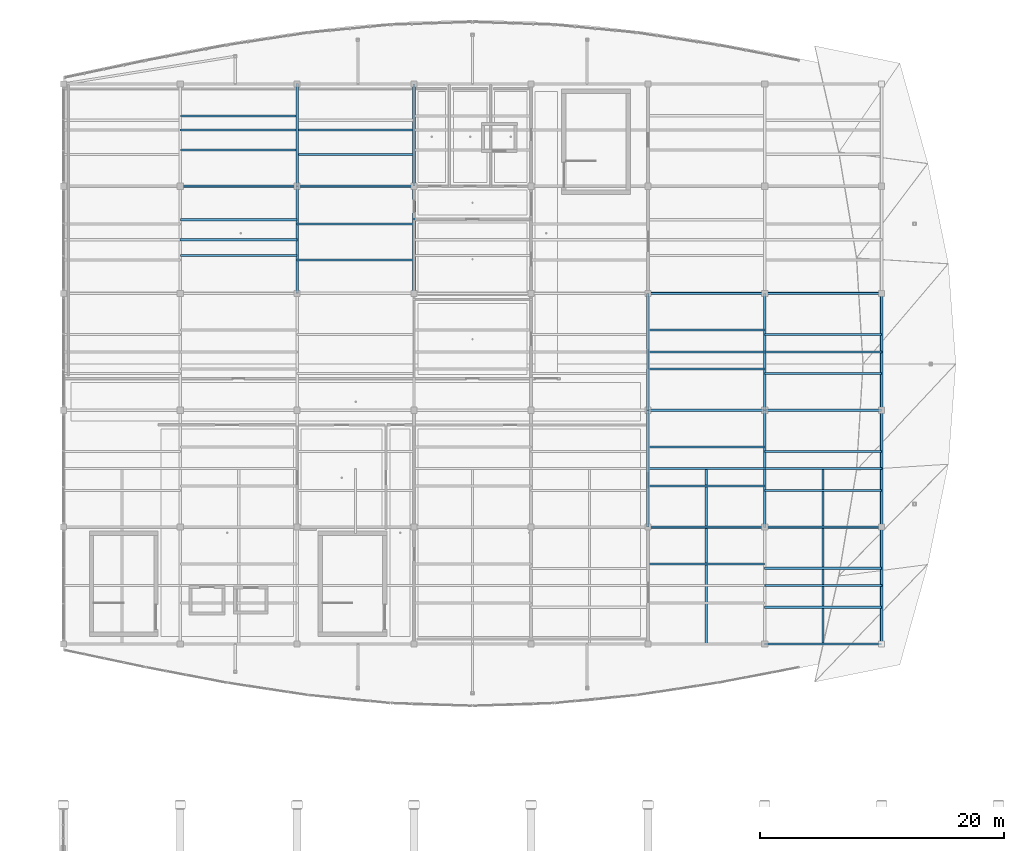
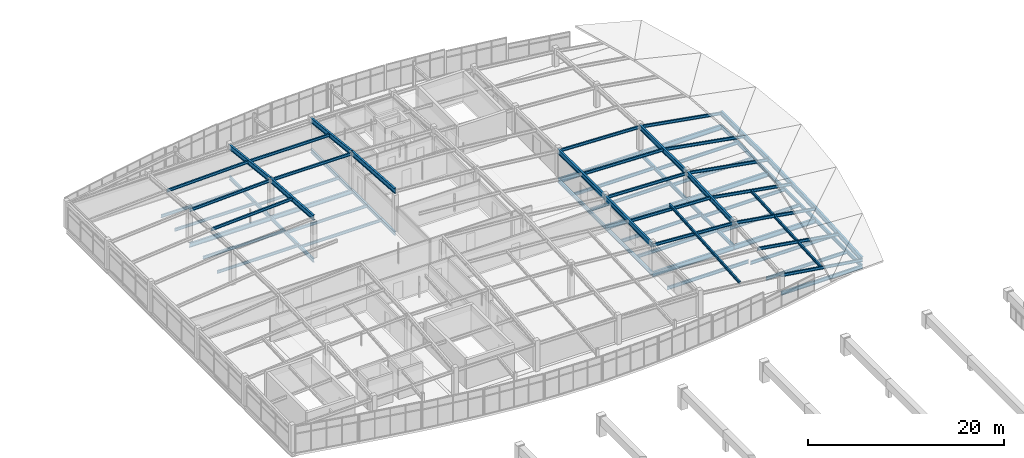
# One storey, part 42 of 65: 49 beams, 19 members.
"""IFC4 building model written with IfcOpenShell, lengths in metres."""

import ifcopenshell
import ifcopenshell.guid

model = None  # the IFC model being written
_history = None  # IfcOwnerHistory: only IFC2X3 demands one
_inside = {}  # id of a spatial element -> (the spatial element, [elements in it])
_under = {}  # id of a project, library or spatial element -> (it, [spatial elements below it])
_declared = {}  # id of a project -> (the project, [libraries it declares])
_typed = {}  # id of a type object -> (the type object, [elements of that type])
_made_of = {}  # id of a material, layer set ... -> (it, [elements and type objects made of it])


def new_model(schema):
    """Start an empty IFC model of exactly this schema.

    Asked for "IFC4X3", IfcOpenShell would pick the latest addendum, in which some entities
    have other attributes; the version numbers below select the first issue.
    IFC2X3 requires an IfcOwnerHistory on every rooted entity: one is made here for all.
    """
    global model, _history
    if schema == "IFC4X3":
        model = ifcopenshell.file(schema_version=(4, 3, 0, 0))
    else:
        model = ifcopenshell.file(schema=schema)
    _inside.clear()
    _under.clear()
    _declared.clear()
    _typed.clear()
    _made_of.clear()
    _history = None
    if model.schema == "IFC2X3":
        org = make("IfcOrganization", Name="unknown")
        user = make(
            "IfcPersonAndOrganization",
            ThePerson=make("IfcPerson", FamilyName="unknown"),
            TheOrganization=org,
        )
        app = make(
            "IfcApplication",
            ApplicationDeveloper=org,
            Version="unknown",
            ApplicationFullName="unknown",
            ApplicationIdentifier="unknown",
        )
        _history = make(
            "IfcOwnerHistory",
            OwningUser=user,
            OwningApplication=app,
            ChangeAction="ADDED",
            CreationDate=0,
        )
    return model


def make(cls, **values):
    """One entity of the class cls with the attributes given. An attribute that is None is left unset."""
    return model.create_entity(
        cls, **{name: value for name, value in values.items() if value is not None}
    )


def rooted(cls, **values):
    """An entity with a GlobalId (a new one), such as an element, a storey or a relation."""
    return make(cls, GlobalId=ifcopenshell.guid.new(), OwnerHistory=_history, **values)


def si_unit(unit_type, name, prefix=None):
    """IfcSIUnit, for example si_unit("LENGTHUNIT", "METRE", prefix="MILLI")."""
    return make("IfcSIUnit", UnitType=unit_type, Prefix=prefix, Name=name)


def assignment(units):
    """IfcUnitAssignment: the units of a project."""
    return None if units is None else make("IfcUnitAssignment", Units=units)


def point(xyz):
    """IfcCartesianPoint."""
    return None if xyz is None else make("IfcCartesianPoint", Coordinates=xyz)


def direction(xyz):
    """IfcDirection."""
    return None if xyz is None else make("IfcDirection", DirectionRatios=xyz)


def frame(location, z_axis=None, x_axis=None):
    """IfcAxis2Placement3D, a coordinate frame: its origin and axes. An axis left out is left unset."""
    return make(
        "IfcAxis2Placement3D",
        Location=point(location),
        Axis=direction(z_axis),
        RefDirection=direction(x_axis),
    )


def frame_2d(location, x_axis=None):
    """IfcAxis2Placement2D, a coordinate frame in the plane: its origin and x axis."""
    return make(
        "IfcAxis2Placement2D", Location=point(location), RefDirection=direction(x_axis)
    )


def origin():
    """The frame at (0, 0, 0) with its axes left unset."""
    return frame((0.0, 0.0, 0.0))


def origin_2d():
    """The frame at (0, 0) in the plane with its x axis left unset."""
    return frame_2d((0.0, 0.0))


def place(relative_to, where):
    """IfcLocalPlacement: puts the frame where relative to a parent placement (None: the world)."""
    return make(
        "IfcLocalPlacement", PlacementRelTo=relative_to, RelativePlacement=where
    )


def context(
    kind, dimensions, precision=None, world=None, true_north=None, identifier=None
):
    """IfcGeometricRepresentationContext, for example the 3D "Model" context."""
    return make(
        "IfcGeometricRepresentationContext",
        ContextIdentifier=identifier,
        ContextType=kind,
        CoordinateSpaceDimension=dimensions,
        Precision=precision,
        WorldCoordinateSystem=world,
        TrueNorth=true_north,
    )


def subcontext(parent, identifier, kind, view, scale=None):
    """IfcGeometricRepresentationSubContext, for example "Body" below "Model"."""
    return make(
        "IfcGeometricRepresentationSubContext",
        ContextIdentifier=identifier,
        ContextType=kind,
        ParentContext=parent,
        TargetScale=scale,
        TargetView=view,
    )


def project(units=None, contexts=None):
    """IfcProject with its units and contexts."""
    return rooted(
        "IfcProject",
        Name="project",
        RepresentationContexts=contexts,
        UnitsInContext=assignment(units),
    )


def spatial(cls, under=None, at=None, **own):
    """A site, building, storey or space (cls), placed at a placement, below another one or the project."""
    s = rooted(cls, ObjectPlacement=at, **own)
    if under is not None:
        _under.setdefault(under.id(), (under, []))[1].append(s)
    return s


def profile(cls, at=None, kind="AREA", **sizes):
    """A parametric profile (cls). Its sizes go by their IFC names, for example OverallWidth=200.0."""
    return make(cls, ProfileType=kind, Position=at, **sizes)


def i_section(**sizes):
    """IfcIShapeProfileDef."""
    return profile("IfcIShapeProfileDef", **sizes)


def extrude(swept, where, along, depth):
    """IfcExtrudedAreaSolid: the profile swept, set in the frame where, extruded along a direction by depth."""
    return make(
        "IfcExtrudedAreaSolid",
        SweptArea=swept,
        Position=where,
        ExtrudedDirection=direction(along),
        Depth=depth,
    )


def shape(context_of_items, identifier, shape_type, items):
    """IfcShapeRepresentation: the items that make up one representation, for example the "Body"."""
    return make(
        "IfcShapeRepresentation",
        ContextOfItems=context_of_items,
        RepresentationIdentifier=identifier,
        RepresentationType=shape_type,
        Items=items,
    )


def material(Name=None, Category=None):
    """IfcMaterial."""
    return make("IfcMaterial", Name=Name, Category=Category)


def material_profile(
    of_material, cross_section, Name=None, Category=None, Priority=None
):
    """IfcMaterialProfile: a cross section and its material."""
    return make(
        "IfcMaterialProfile",
        Name=Name,
        Material=of_material,
        Profile=cross_section,
        Priority=Priority,
        Category=Category,
    )


def profile_set(profiles, Name=None, composite=None):
    """IfcMaterialProfileSet."""
    return make(
        "IfcMaterialProfileSet",
        Name=Name,
        MaterialProfiles=profiles,
        CompositeProfile=composite,
    )


def made_of(thing, what):
    """Note that an element or type object is made of a material, layer set ...; save() writes the relation."""
    if what is not None:
        _made_of.setdefault(what.id(), (what, []))[1].append(thing)
    return thing


def type_object(cls, material=None, **own):
    """A type object (cls), such as IfcWallType, which elements share."""
    return made_of(rooted(cls, **own), material)


def element(
    cls,
    number,
    at=None,
    inside=None,
    cuts=None,
    type_object=None,
    material=None,
    context=None,
    identifier="Body",
    shape_type=None,
    held_by="IfcProductDefinitionShape",
    body=None,
    shapes=None,
    **own,
):
    """One element of the class cls, such as IfcWall. Its Tag is "e" and its number.

    at: its placement. inside: the storey or other place that contains it. cuts: it is an
    opening in that element (IfcRelVoidsElement). A single representation is given by context,
    identifier, shape_type and body (its items); several are given by shapes. held_by: the class
    of the entity that holds the representations. save() writes the other relations.
    """
    e = rooted(cls, Tag="e%d" % number, ObjectPlacement=at, **own)
    if body is not None:
        shapes = [shape(context, identifier, shape_type, body)]
    if shapes is not None:
        e.Representation = make(held_by, Representations=shapes)
    if inside is not None:
        _inside.setdefault(inside.id(), (inside, []))[1].append(e)
    if cuts is not None:
        rooted(
            "IfcRelVoidsElement", RelatingBuildingElement=cuts, RelatedOpeningElement=e
        )
    if type_object is not None:
        _typed.setdefault(type_object.id(), (type_object, []))[1].append(e)
    return made_of(e, material)


def aggregate(whole, parts):
    """IfcRelAggregates: a whole, such as a stair, and the parts it consists of."""
    return rooted("IfcRelAggregates", RelatingObject=whole, RelatedObjects=parts)


def save(model, path):
    """Write the relations noted so far, then the file.

    IfcRelAggregates (storeys below a building ...), IfcRelContainedInSpatialStructure (elements
    in a storey), IfcRelDefinesByType, IfcRelAssociatesMaterial and IfcRelDeclares: one each for
    every whole, place, type object, material and project.
    """
    for whole, parts in _under.values():
        aggregate(whole, parts)
    for where, things in _inside.values():
        rooted(
            "IfcRelContainedInSpatialStructure",
            RelatedElements=things,
            RelatingStructure=where,
        )
    for kind, things in _typed.values():
        rooted("IfcRelDefinesByType", RelatedObjects=things, RelatingType=kind)
    for what, things in _made_of.values():
        rooted("IfcRelAssociatesMaterial", RelatedObjects=things, RelatingMaterial=what)
    for by, libraries in _declared.values():
        rooted("IfcRelDeclares", RelatingContext=by, RelatedDefinitions=libraries)
    model.write(path)


model = new_model("IFC4")

# Units and contexts
model_context = context("Model", 3, precision=1e-05, world=origin(), true_north=direction((0.0, 1.0)))
body_context = subcontext(model_context, "Body", "Model", "MODEL_VIEW")
ifc_project = project(units=[si_unit("LENGTHUNIT", "METRE"), si_unit("AREAUNIT", "SQUARE_METRE"), si_unit("VOLUMEUNIT", "CUBIC_METRE"), si_unit("PLANEANGLEUNIT", "RADIAN"), si_unit("MASSUNIT", "GRAM", prefix="KILO")], contexts=[model_context])

# Site, building, storey
site_placement = place(None, origin())
site = spatial("IfcSite", under=ifc_project, at=site_placement, CompositionType="ELEMENT")
building_placement = place(site_placement, origin())
building = spatial("IfcBuilding", under=site, at=building_placement, Name="Chalmorin Arch Market", CompositionType="ELEMENT")
storey_placement = place(building_placement, frame((0.0, 0.0, 14.10009765625)))
storey = spatial("IfcBuildingStorey", under=building, at=storey_placement, Name="L03", CompositionType="ELEMENT", Elevation=14.10009765625)

# Beams
ifc_material = material(Name="Steel A992 Grade 50", Category="steel")
ifc_material_profile_1 = material_profile(ifc_material, i_section(OverallWidth=0.19091796875, OverallDepth=0.45703125, WebThickness=0.009033203125, FlangeThickness=0.014404296875, FilletRadius=0.02001953125, at=origin_2d()), Name="W18X50")
ifc_profile_set_1 = profile_set([ifc_material_profile_1], Name="Steel A992 Grade 50")
beam_type_1 = type_object("IfcBeamType", Name="FloorSteelBeam-W18X50", PredefinedType="BEAM", material=ifc_profile_set_1)
beam_1_placement = place(storey_placement, frame((67.199951171875, 100.800048828125, -0.470703125), z_axis=(0.0, 1.0, 0.0), x_axis=(-1.0, 0.0, 0.0)))
element("IfcBeam", 1, at=beam_1_placement, inside=storey, type_object=beam_type_1, Name="BM-W18B-1401", PredefinedType="BEAM", context=body_context, shape_type="SweptSolid", body=[
    extrude(i_section(OverallWidth=0.19091796875, OverallDepth=0.45703125, WebThickness=0.009033203125, FlangeThickness=0.014404296875, FilletRadius=0.02001953125, at=origin_2d()), origin(), (0.0, 0.0, 1.0), 8.800048828125),
])
beam_2_placement = place(storey_placement, frame((67.199951171875, 109.60009765625, -0.510498046875), z_axis=(0.0, 1.0, 0.0), x_axis=(-1.0, 0.0, 0.0)))
element("IfcBeam", 2, at=beam_2_placement, inside=storey, type_object=beam_type_1, Name="BM-W18B-1403", PredefinedType="BEAM", context=body_context, shape_type="SweptSolid", body=[
    extrude(i_section(OverallWidth=0.19091796875, OverallDepth=0.45703125, WebThickness=0.009033203125, FlangeThickness=0.014404296875, FilletRadius=0.02001953125, at=origin_2d()), origin(), (0.0, 0.0, 1.0), 8.39990234375),
])
beam_3_placement = place(storey_placement, frame((76.800048828125, 100.800048828125, -0.470703125), z_axis=(0.0, 1.0, 0.0), x_axis=(-1.0, 0.0, 0.0)))
element("IfcBeam", 3, at=beam_3_placement, inside=storey, type_object=beam_type_1, Name="BM-W18B-1412", PredefinedType="BEAM", context=body_context, shape_type="SweptSolid", body=[
    extrude(i_section(OverallWidth=0.19091796875, OverallDepth=0.45703125, WebThickness=0.009033203125, FlangeThickness=0.014404296875, FilletRadius=0.02001953125, at=origin_2d()), origin(), (0.0, 0.0, 1.0), 8.800048828125),
])
beam_4_placement = place(storey_placement, frame((76.800048828125, 109.60009765625, -0.510498046875), z_axis=(0.0, 1.0, 0.0), x_axis=(-1.0, 0.0, 0.0)))
element("IfcBeam", 4, at=beam_4_placement, inside=storey, type_object=beam_type_1, Name="BM-W18B-1414", PredefinedType="BEAM", context=body_context, shape_type="SweptSolid", body=[
    extrude(i_section(OverallWidth=0.19091796875, OverallDepth=0.45703125, WebThickness=0.009033203125, FlangeThickness=0.014404296875, FilletRadius=0.02001953125, at=origin_2d()), origin(), (0.0, 0.0, 1.0), 8.39990234375),
])
ifc_material_profile_2 = material_profile(ifc_material, i_section(OverallWidth=0.193115234375, OverallDepth=0.466064453125, WebThickness=0.011474609375, FlangeThickness=0.01904296875, FilletRadius=0.02001953125, at=origin_2d()), Name="W18X65")
ifc_profile_set_2 = profile_set([ifc_material_profile_2], Name="Steel A992 Grade 50")
beam_type_2 = type_object("IfcBeamType", Name="FloorSteelBeam-W18X65", PredefinedType="BEAM", material=ifc_profile_set_2)
beam_5_placement = place(storey_placement, frame((105.60009765625, 81.60009765625, -0.53515625), z_axis=(0.0, 1.0, 0.0), x_axis=(-1.0, 0.0, 0.0)))
element("IfcBeam", 5, at=beam_5_placement, inside=storey, type_object=beam_type_2, Name="BM-W18A-1485", PredefinedType="BEAM", context=body_context, shape_type="SweptSolid", body=[
    extrude(i_section(OverallWidth=0.193115234375, OverallDepth=0.466064453125, WebThickness=0.011474609375, FlangeThickness=0.01904296875, FilletRadius=0.02001953125, at=origin_2d()), origin(), (0.0, 0.0, 1.0), 9.599853515625),
])
beam_6_placement = place(storey_placement, frame((105.60009765625, 91.199951171875, -0.53515625), z_axis=(0.0, 1.0, 0.0), x_axis=(-1.0, 0.0, 0.0)))
element("IfcBeam", 6, at=beam_6_placement, inside=storey, type_object=beam_type_2, Name="BM-W18A-1487", PredefinedType="BEAM", context=body_context, shape_type="SweptSolid", body=[
    extrude(i_section(OverallWidth=0.193115234375, OverallDepth=0.466064453125, WebThickness=0.011474609375, FlangeThickness=0.01904296875, FilletRadius=0.02001953125, at=origin_2d()), origin(), (0.0, 0.0, 1.0), 9.60009765625),
])
ifc_material_profile_3 = material_profile(ifc_material, i_section(OverallWidth=0.19091796875, OverallDepth=0.45703125, WebThickness=0.009033203125, FlangeThickness=0.014404296875, FilletRadius=0.02001953125, at=origin_2d()), Name="W18X50")
ifc_profile_set_3 = profile_set([ifc_material_profile_3], Name="Steel A992 Grade 50")
beam_type_3 = type_object("IfcBeamType", Name="PerimeterSpandrelBeam-W18X50", PredefinedType="SPANDREL", material=ifc_profile_set_3)
beam_7_placement = place(storey_placement, frame((96.0, 81.60009765625, -0.530517578125), z_axis=(0.0, 1.0, 0.0), x_axis=(-1.0, 0.0, 0.0)))
element("IfcBeam", 7, at=beam_7_placement, inside=storey, type_object=beam_type_3, Name="SP-W18-1430", PredefinedType="SPANDREL", context=body_context, shape_type="SweptSolid", body=[
    extrude(i_section(OverallWidth=0.19091796875, OverallDepth=0.45703125, WebThickness=0.009033203125, FlangeThickness=0.014404296875, FilletRadius=0.02001953125, at=origin_2d()), origin(), (0.0, 0.0, 1.0), 9.599853515625),
])
beam_8_placement = place(storey_placement, frame((96.0, 91.199951171875, -0.530517578125), z_axis=(0.0, 1.0, 0.0), x_axis=(-1.0, 0.0, 0.0)))
element("IfcBeam", 8, at=beam_8_placement, inside=storey, type_object=beam_type_3, Name="SP-W18-1432", PredefinedType="SPANDREL", context=body_context, shape_type="SweptSolid", body=[
    extrude(i_section(OverallWidth=0.19091796875, OverallDepth=0.45703125, WebThickness=0.009033203125, FlangeThickness=0.014404296875, FilletRadius=0.02001953125, at=origin_2d()), origin(), (0.0, 0.0, 1.0), 9.60009765625),
])
beam_9_placement = place(storey_placement, frame((105.60009765625, 72.0, -0.530517578125), z_axis=(1.0, 0.0, 0.0), x_axis=(0.0, 1.0, 0.0)))
element("IfcBeam", 9, at=beam_9_placement, inside=storey, type_object=beam_type_3, Name="SP-W18-1492", PredefinedType="SPANDREL", context=body_context, shape_type="SweptSolid", body=[
    extrude(i_section(OverallWidth=0.19091796875, OverallDepth=0.45703125, WebThickness=0.009033203125, FlangeThickness=0.014404296875, FilletRadius=0.02001953125, at=origin_2d()), origin(), (0.0, 0.0, 1.0), 9.599853515625),
])
beam_10_placement = place(storey_placement, frame((115.199951171875, 72.0, -0.530517578125), z_axis=(0.0, 1.0, 0.0), x_axis=(-1.0, 0.0, 0.0)))
element("IfcBeam", 10, at=beam_10_placement, inside=storey, type_object=beam_type_3, Name="SP-W18-1494", PredefinedType="SPANDREL", context=body_context, shape_type="SweptSolid", body=[
    extrude(i_section(OverallWidth=0.19091796875, OverallDepth=0.45703125, WebThickness=0.009033203125, FlangeThickness=0.014404296875, FilletRadius=0.02001953125, at=origin_2d()), origin(), (0.0, 0.0, 1.0), 9.60009765625),
])
beam_11_placement = place(storey_placement, frame((115.199951171875, 81.60009765625, -0.530517578125), z_axis=(0.0, 1.0, 0.0), x_axis=(-1.0, 0.0, 0.0)))
element("IfcBeam", 11, at=beam_11_placement, inside=storey, type_object=beam_type_3, Name="SP-W18-1496", PredefinedType="SPANDREL", context=body_context, shape_type="SweptSolid", body=[
    extrude(i_section(OverallWidth=0.19091796875, OverallDepth=0.45703125, WebThickness=0.009033203125, FlangeThickness=0.014404296875, FilletRadius=0.02001953125, at=origin_2d()), origin(), (0.0, 0.0, 1.0), 9.599853515625),
])
beam_12_placement = place(storey_placement, frame((115.199951171875, 91.199951171875, -0.530517578125), z_axis=(0.0, 1.0, 0.0), x_axis=(-1.0, 0.0, 0.0)))
element("IfcBeam", 12, at=beam_12_placement, inside=storey, type_object=beam_type_3, Name="SP-W18-1498", PredefinedType="SPANDREL", context=body_context, shape_type="SweptSolid", body=[
    extrude(i_section(OverallWidth=0.19091796875, OverallDepth=0.45703125, WebThickness=0.009033203125, FlangeThickness=0.014404296875, FilletRadius=0.02001953125, at=origin_2d()), origin(), (0.0, 0.0, 1.0), 9.60009765625),
])
ifc_material_profile_4 = material_profile(ifc_material, i_section(OverallWidth=0.2119140625, OverallDepth=0.5439453125, WebThickness=0.01318359375, FlangeThickness=0.021240234375, FilletRadius=0.02197265625, at=origin_2d()), Name="W21X83")
ifc_profile_set_4 = profile_set([ifc_material_profile_4], Name="Steel A992 Grade 50")
beam_type_4 = type_object("IfcBeamType", Name="PrimarySteelGirder-W21X83", PredefinedType="BEAM", material=ifc_profile_set_4)
beam_13_placement = place(storey_placement, frame((57.60009765625, 109.60009765625, -0.51416015625), z_axis=(1.0, 0.0, 0.0), x_axis=(0.0, 1.0, 0.0)))
element("IfcBeam", 13, at=beam_13_placement, inside=storey, type_object=beam_type_4, Name="BG-W21A-1400", PredefinedType="BEAM", context=body_context, shape_type="SweptSolid", body=[
    extrude(i_section(OverallWidth=0.2119140625, OverallDepth=0.5439453125, WebThickness=0.01318359375, FlangeThickness=0.021240234375, FilletRadius=0.02197265625, at=origin_2d()), origin(), (0.0, 0.0, 1.0), 9.599853515625),
])
beam_14_placement = place(storey_placement, frame((67.199951171875, 109.60009765625, -0.51416015625), z_axis=(1.0, 0.0, 0.0), x_axis=(0.0, 1.0, 0.0)))
element("IfcBeam", 14, at=beam_14_placement, inside=storey, type_object=beam_type_4, Name="BG-W21A-1411", PredefinedType="BEAM", context=body_context, shape_type="SweptSolid", body=[
    extrude(i_section(OverallWidth=0.2119140625, OverallDepth=0.5439453125, WebThickness=0.01318359375, FlangeThickness=0.021240234375, FilletRadius=0.02197265625, at=origin_2d()), origin(), (0.0, 0.0, 1.0), 9.60009765625),
])
ifc_material_profile_5 = material_profile(ifc_material, i_section(OverallWidth=0.22802734375, OverallDepth=0.60791015625, WebThickness=0.01123046875, FlangeThickness=0.017333984375, FilletRadius=0.02392578125, at=origin_2d()), Name="W24X76")
ifc_profile_set_5 = profile_set([ifc_material_profile_5], Name="Steel A992 Grade 50")
beam_type_5 = type_object("IfcBeamType", Name="PrimarySteelGirder-W24X76", PredefinedType="BEAM", material=ifc_profile_set_5)
for number, where, z_axis, x_axis, name in (
    (15, (96.0, 81.60009765625, -0.606201171875), (1.0, 0.0, 0.0), (0.0, 1.0, 0.0), "BG-W24B-1482"),
    (16, (96.0, 91.199951171875, -0.606201171875), (1.0, 0.0, 0.0), (0.0, 1.0, 0.0), "BG-W24B-1484"),
    (17, (96.0, 100.800048828125, -0.606201171875), (1.0, 0.0, 0.0), (0.0, 1.0, 0.0), "BG-W24B-1486"),
):
    element("IfcBeam", number, at=place(storey_placement, frame(where, z_axis=z_axis, x_axis=x_axis)), inside=storey, type_object=beam_type_5, Name=name, PredefinedType="BEAM", context=body_context, shape_type="SweptSolid", body=[
        extrude(i_section(OverallWidth=0.22802734375, OverallDepth=0.60791015625, WebThickness=0.01123046875, FlangeThickness=0.017333984375, FilletRadius=0.02392578125, at=origin_2d()), origin(), (0.0, 0.0, 1.0), 9.60009765625),
    ])
for number, where, z_axis, x_axis, name in (
    (18, (105.60009765625, 81.60009765625, -0.606201171875), (1.0, 0.0, 0.0), (0.0, 1.0, 0.0), "BG-W24B-1493"),
    (19, (105.60009765625, 91.199951171875, -0.606201171875), (1.0, 0.0, 0.0), (0.0, 1.0, 0.0), "BG-W24B-1495"),
    (20, (105.60009765625, 100.800048828125, -0.606201171875), (1.0, 0.0, 0.0), (0.0, 1.0, 0.0), "BG-W24B-1497"),
):
    element("IfcBeam", number, at=place(storey_placement, frame(where, z_axis=z_axis, x_axis=x_axis)), inside=storey, type_object=beam_type_5, Name=name, PredefinedType="BEAM", context=body_context, shape_type="SweptSolid", body=[
        extrude(i_section(OverallWidth=0.22802734375, OverallDepth=0.60791015625, WebThickness=0.01123046875, FlangeThickness=0.017333984375, FilletRadius=0.02392578125, at=origin_2d()), origin(), (0.0, 0.0, 1.0), 9.599853515625),
    ])
beam_15_placement = place(storey_placement, frame((67.199951171875, 100.800048828125, 4.891845703125), z_axis=(0.0, 0.997520551407, -0.070375773678), x_axis=(-1.0, 0.0, 0.0)))
element("IfcBeam", 21, at=beam_15_placement, inside=storey, type_object=beam_type_5, Name="BG-W24B-1558", PredefinedType="BEAM", context=body_context, shape_type="SweptSolid", body=[
    extrude(i_section(OverallWidth=0.22802734375, OverallDepth=0.60791015625, WebThickness=0.01123046875, FlangeThickness=0.017333984375, FilletRadius=0.02392578125, at=origin_2d()), origin(), (0.0, 0.0, 1.0), 8.822021484375),
])
beam_16_placement = place(storey_placement, frame((67.199951171875, 109.60009765625, 4.27099609375), z_axis=(0.0, 0.993662709854, -0.112402931662), x_axis=(-1.0, 0.0, 0.0)))
element("IfcBeam", 22, at=beam_16_placement, inside=storey, type_object=beam_type_5, Name="BG-W24B-1559", PredefinedType="BEAM", context=body_context, shape_type="SweptSolid", body=[
    extrude(i_section(OverallWidth=0.22802734375, OverallDepth=0.60791015625, WebThickness=0.01123046875, FlangeThickness=0.017333984375, FilletRadius=0.02392578125, at=origin_2d()), origin(), (0.0, 0.0, 1.0), 8.453369140625),
])
beam_17_placement = place(storey_placement, frame((76.800048828125, 100.800048828125, 4.851806640625), z_axis=(0.0, 0.997607213925, -0.069136435577), x_axis=(-1.0, 0.0, 0.0)))
element("IfcBeam", 23, at=beam_17_placement, inside=storey, type_object=beam_type_5, Name="BG-W24B-1563", PredefinedType="BEAM", context=body_context, shape_type="SweptSolid", body=[
    extrude(i_section(OverallWidth=0.22802734375, OverallDepth=0.60791015625, WebThickness=0.01123046875, FlangeThickness=0.017333984375, FilletRadius=0.02392578125, at=origin_2d()), origin(), (0.0, 0.0, 1.0), 8.821044921875),
])
beam_18_placement = place(storey_placement, frame((76.800048828125, 109.60009765625, 4.241943359375), z_axis=(0.0, 0.993911885476, -0.110177873952), x_axis=(-1.0, 0.0, 0.0)))
element("IfcBeam", 24, at=beam_18_placement, inside=storey, type_object=beam_type_5, Name="BG-W24B-1564", PredefinedType="BEAM", context=body_context, shape_type="SweptSolid", body=[
    extrude(i_section(OverallWidth=0.22802734375, OverallDepth=0.60791015625, WebThickness=0.01123046875, FlangeThickness=0.017333984375, FilletRadius=0.02392578125, at=origin_2d()), origin(), (0.0, 0.0, 1.0), 8.451416015625),
])
beam_19_placement = place(storey_placement, frame((96.0, 81.60009765625, 3.052001953125), z_axis=(0.0, 0.999930982395, 0.011748635942), x_axis=(-1.0, 0.0, 0.0)))
element("IfcBeam", 25, at=beam_19_placement, inside=storey, type_object=beam_type_5, Name="BG-W24B-1571", PredefinedType="BEAM", context=body_context, shape_type="SweptSolid", body=[
    extrude(i_section(OverallWidth=0.22802734375, OverallDepth=0.60791015625, WebThickness=0.01123046875, FlangeThickness=0.017333984375, FilletRadius=0.02392578125, at=origin_2d()), origin(), (0.0, 0.0, 1.0), 9.6005859375),
])
beam_20_placement = place(storey_placement, frame((96.0, 91.199951171875, 3.164794921875), z_axis=(0.0, 0.999998949375, -0.001449568692), x_axis=(-1.0, 0.0, 0.0)))
element("IfcBeam", 26, at=beam_20_placement, inside=storey, type_object=beam_type_5, Name="BG-W24B-1572", PredefinedType="BEAM", context=body_context, shape_type="SweptSolid", body=[
    extrude(i_section(OverallWidth=0.22802734375, OverallDepth=0.60791015625, WebThickness=0.01123046875, FlangeThickness=0.017333984375, FilletRadius=0.02392578125, at=origin_2d()), origin(), (0.0, 0.0, 1.0), 9.60009765625),
])
beam_21_placement = place(storey_placement, frame((105.60009765625, 81.60009765625, 2.468017578125), z_axis=(0.0, 0.999205862985, 0.039845242826), x_axis=(-1.0, 0.0, 0.0)))
element("IfcBeam", 27, at=beam_21_placement, inside=storey, type_object=beam_type_5, Name="BG-W24B-1576", PredefinedType="BEAM", context=body_context, shape_type="SweptSolid", body=[
    extrude(i_section(OverallWidth=0.22802734375, OverallDepth=0.60791015625, WebThickness=0.01123046875, FlangeThickness=0.017333984375, FilletRadius=0.02392578125, at=origin_2d()), origin(), (0.0, 0.0, 1.0), 9.607421875),
])
beam_22_placement = place(storey_placement, frame((105.60009765625, 91.199951171875, 2.850830078125), z_axis=(0.0, 0.999988571031, -0.004780983962), x_axis=(-1.0, 0.0, 0.0)))
element("IfcBeam", 28, at=beam_22_placement, inside=storey, type_object=beam_type_5, Name="BG-W24B-1577", PredefinedType="BEAM", context=body_context, shape_type="SweptSolid", body=[
    extrude(i_section(OverallWidth=0.22802734375, OverallDepth=0.60791015625, WebThickness=0.01123046875, FlangeThickness=0.017333984375, FilletRadius=0.02392578125, at=origin_2d()), origin(), (0.0, 0.0, 1.0), 9.60009765625),
])
beam_23_placement = place(storey_placement, frame((115.199951171875, 72.0, 0.328857421875), z_axis=(0.0, 0.998421517343, 0.056164701601), x_axis=(-1.0, 0.0, 0.0)))
element("IfcBeam", 29, at=beam_23_placement, inside=storey, type_object=beam_type_5, Name="BG-W24B-1580", PredefinedType="BEAM", context=body_context, shape_type="SweptSolid", body=[
    extrude(i_section(OverallWidth=0.22802734375, OverallDepth=0.60791015625, WebThickness=0.01123046875, FlangeThickness=0.017333984375, FilletRadius=0.02392578125, at=origin_2d()), origin(), (0.0, 0.0, 1.0), 9.615234375),
])
beam_24_placement = place(storey_placement, frame((115.199951171875, 81.60009765625, 0.868896484375), z_axis=(0.0, 0.999525302644, 0.030808592528), x_axis=(-1.0, 0.0, 0.0)))
element("IfcBeam", 30, at=beam_24_placement, inside=storey, type_object=beam_type_5, Name="BG-W24B-1581", PredefinedType="BEAM", context=body_context, shape_type="SweptSolid", body=[
    extrude(i_section(OverallWidth=0.22802734375, OverallDepth=0.60791015625, WebThickness=0.01123046875, FlangeThickness=0.017333984375, FilletRadius=0.02392578125, at=origin_2d()), origin(), (0.0, 0.0, 1.0), 9.6044921875),
])
beam_25_placement = place(storey_placement, frame((115.199951171875, 91.199951171875, 1.164794921875), z_axis=(0.0, 0.999993012386, -0.003738339169), x_axis=(-1.0, 0.0, 0.0)))
element("IfcBeam", 31, at=beam_25_placement, inside=storey, type_object=beam_type_5, Name="BG-W24B-1582", PredefinedType="BEAM", context=body_context, shape_type="SweptSolid", body=[
    extrude(i_section(OverallWidth=0.22802734375, OverallDepth=0.60791015625, WebThickness=0.01123046875, FlangeThickness=0.017333984375, FilletRadius=0.02392578125, at=origin_2d()), origin(), (0.0, 0.0, 1.0), 9.60009765625),
])

# Members
ifc_material_profile_6 = material_profile(ifc_material, i_section(OverallWidth=0.1708984375, OverallDepth=0.35107421875, WebThickness=0.0068359375, FlangeThickness=0.009765625, FilletRadius=0.014892578125, at=origin_2d()), Name="W14X30")
ifc_profile_set_6 = profile_set([ifc_material_profile_6], Name="Steel A992 Grade 50")
member_type = type_object("IfcMemberType", Name="RoofSteelPurlin-W14X30", PredefinedType="PURLIN", material=ifc_profile_set_6)
member_1_placement = place(storey_placement, frame((100.800048828125, 72.0, 2.448974609375), z_axis=(0.0, 0.997367773917, 0.072508782587), x_axis=(-1.0, 0.0, 0.0)))
element("IfcMember", 32, at=member_1_placement, inside=storey, type_object=member_type, Name="PR-W14-0047", PredefinedType="PURLIN", context=body_context, shape_type="SweptSolid", body=[
    extrude(i_section(OverallWidth=0.1708984375, OverallDepth=0.35107421875, WebThickness=0.0068359375, FlangeThickness=0.009765625, FilletRadius=0.014892578125, at=origin_2d()), origin(), (0.0, 0.0, 1.0), 14.43798828125),
])
member_2_placement = place(storey_placement, frame((110.39990234375, 72.0, 1.0087890625), z_axis=(0.0, 0.998330983106, 0.057751607513), x_axis=(-1.0, 0.0, 0.0)))
element("IfcMember", 33, at=member_2_placement, inside=storey, type_object=member_type, Name="PR-W14-0048", PredefinedType="PURLIN", context=body_context, shape_type="SweptSolid", body=[
    extrude(i_section(OverallWidth=0.1708984375, OverallDepth=0.35107421875, WebThickness=0.0068359375, FlangeThickness=0.009765625, FilletRadius=0.014892578125, at=origin_2d()), origin(), (0.0, 0.0, 1.0), 14.424072265625),
])
member_3_placement = place(storey_placement, frame((105.60009765625, 72.0, 1.72900390625), z_axis=(0.988933216552, 0.0, -0.1483613602), x_axis=(0.0, 1.0, 0.0)))
element("IfcMember", 34, at=member_3_placement, inside=storey, type_object=member_type, Name="PR-W14-0055", PredefinedType="PURLIN", context=body_context, shape_type="SweptSolid", body=[
    extrude(i_section(OverallWidth=0.1708984375, OverallDepth=0.35107421875, WebThickness=0.0068359375, FlangeThickness=0.009765625, FilletRadius=0.014892578125, at=origin_2d()), origin(), (0.0, 0.0, 1.0), 9.707275390625),
])
member_4_placement = place(storey_placement, frame((105.60009765625, 76.800048828125, 2.10693359375), z_axis=(0.987598279854, 0.0, -0.157002030655), x_axis=(0.0, 1.0, 0.0)))
element("IfcMember", 35, at=member_4_placement, inside=storey, type_object=member_type, Name="PR-W14-0062", PredefinedType="PURLIN", context=body_context, shape_type="SweptSolid", body=[
    extrude(i_section(OverallWidth=0.1708984375, OverallDepth=0.35107421875, WebThickness=0.0068359375, FlangeThickness=0.009765625, FilletRadius=0.014892578125, at=origin_2d()), origin(), (0.0, 0.0, 1.0), 9.720458984375),
])
member_5_placement = place(storey_placement, frame((96.0, 81.60009765625, 3.011962890625), z_axis=(0.998154908567, 0.0, -0.060718848006), x_axis=(0.0, 1.0, 0.0)))
element("IfcMember", 36, at=member_5_placement, inside=storey, type_object=member_type, Name="PR-W14-0068", PredefinedType="PURLIN", context=body_context, shape_type="SweptSolid", body=[
    extrude(i_section(OverallWidth=0.1708984375, OverallDepth=0.35107421875, WebThickness=0.0068359375, FlangeThickness=0.009765625, FilletRadius=0.014892578125, at=origin_2d()), origin(), (0.0, 0.0, 1.0), 9.617919921875),
])
member_6_placement = place(storey_placement, frame((105.60009765625, 81.60009765625, 2.427978515625), z_axis=(0.986408158155, 0.0, -0.164313558554), x_axis=(0.0, 1.0, 0.0)))
element("IfcMember", 37, at=member_6_placement, inside=storey, type_object=member_type, Name="PR-W14-0069", PredefinedType="PURLIN", context=body_context, shape_type="SweptSolid", body=[
    extrude(i_section(OverallWidth=0.1708984375, OverallDepth=0.35107421875, WebThickness=0.0068359375, FlangeThickness=0.009765625, FilletRadius=0.014892578125, at=origin_2d()), origin(), (0.0, 0.0, 1.0), 9.732177734375),
])
member_7_placement = place(storey_placement, frame((96.0, 86.39990234375, 3.0830078125), z_axis=(0.999071151074, 0.0, -0.043091009415), x_axis=(0.0, 1.0, 0.0)))
element("IfcMember", 38, at=member_7_placement, inside=storey, type_object=member_type, Name="PR-W14-0075", PredefinedType="PURLIN", context=body_context, shape_type="SweptSolid", body=[
    extrude(i_section(OverallWidth=0.1708984375, OverallDepth=0.35107421875, WebThickness=0.0068359375, FlangeThickness=0.009765625, FilletRadius=0.014892578125, at=origin_2d()), origin(), (0.0, 0.0, 1.0), 9.609130859375),
])
member_8_placement = place(storey_placement, frame((105.60009765625, 86.39990234375, 2.6689453125), z_axis=(0.98547892098, 0.0, -0.169797810067), x_axis=(0.0, 1.0, 0.0)))
element("IfcMember", 39, at=member_8_placement, inside=storey, type_object=member_type, Name="PR-W14-0076", PredefinedType="PURLIN", context=body_context, shape_type="SweptSolid", body=[
    extrude(i_section(OverallWidth=0.1708984375, OverallDepth=0.35107421875, WebThickness=0.0068359375, FlangeThickness=0.009765625, FilletRadius=0.014892578125, at=origin_2d()), origin(), (0.0, 0.0, 1.0), 9.7412109375),
])
member_9_placement = place(storey_placement, frame((96.0, 91.199951171875, 3.125), z_axis=(0.999464811039, 0.0, -0.032712252983), x_axis=(0.0, 1.0, 0.0)))
element("IfcMember", 40, at=member_9_placement, inside=storey, type_object=member_type, Name="PR-W14-0082", PredefinedType="PURLIN", context=body_context, shape_type="SweptSolid", body=[
    extrude(i_section(OverallWidth=0.1708984375, OverallDepth=0.35107421875, WebThickness=0.0068359375, FlangeThickness=0.009765625, FilletRadius=0.014892578125, at=origin_2d()), origin(), (0.0, 0.0, 1.0), 9.605224609375),
])
member_10_placement = place(storey_placement, frame((105.60009765625, 91.199951171875, 2.810791015625), z_axis=(0.984928964022, 0.0, -0.172959347335), x_axis=(0.0, 1.0, 0.0)))
element("IfcMember", 41, at=member_10_placement, inside=storey, type_object=member_type, Name="PR-W14-0083", PredefinedType="PURLIN", context=body_context, shape_type="SweptSolid", body=[
    extrude(i_section(OverallWidth=0.1708984375, OverallDepth=0.35107421875, WebThickness=0.0068359375, FlangeThickness=0.009765625, FilletRadius=0.014892578125, at=origin_2d()), origin(), (0.0, 0.0, 1.0), 9.746826171875),
])
member_11_placement = place(storey_placement, frame((96.0, 96.0, 3.135009765625), z_axis=(0.999537768043, 0.0, -0.030401484426), x_axis=(0.0, 1.0, 0.0)))
element("IfcMember", 42, at=member_11_placement, inside=storey, type_object=member_type, Name="PR-W14-0089", PredefinedType="PURLIN", context=body_context, shape_type="SweptSolid", body=[
    extrude(i_section(OverallWidth=0.1708984375, OverallDepth=0.35107421875, WebThickness=0.0068359375, FlangeThickness=0.009765625, FilletRadius=0.014892578125, at=origin_2d()), origin(), (0.0, 0.0, 1.0), 9.6044921875),
])
member_12_placement = place(storey_placement, frame((105.60009765625, 96.0, 2.843017578125), z_axis=(0.984800699034, 0.0, -0.173688178017), x_axis=(0.0, 1.0, 0.0)))
element("IfcMember", 43, at=member_12_placement, inside=storey, type_object=member_type, Name="PR-W14-0090", PredefinedType="PURLIN", context=body_context, shape_type="SweptSolid", body=[
    extrude(i_section(OverallWidth=0.1708984375, OverallDepth=0.35107421875, WebThickness=0.0068359375, FlangeThickness=0.009765625, FilletRadius=0.014892578125, at=origin_2d()), origin(), (0.0, 0.0, 1.0), 9.748046875),
])
member_13_placement = place(storey_placement, frame((96.0, 100.800048828125, 3.11083984375), z_axis=(0.999351341992, 0.0, -0.036012432013), x_axis=(0.0, 1.0, 0.0)))
element("IfcMember", 44, at=member_13_placement, inside=storey, type_object=member_type, Name="PR-W14-0096", PredefinedType="PURLIN", context=body_context, shape_type="SweptSolid", body=[
    extrude(i_section(OverallWidth=0.1708984375, OverallDepth=0.35107421875, WebThickness=0.0068359375, FlangeThickness=0.009765625, FilletRadius=0.014892578125, at=origin_2d()), origin(), (0.0, 0.0, 1.0), 9.6064453125),
])
member_14_placement = place(storey_placement, frame((105.60009765625, 100.800048828125, 2.764892578125), z_axis=(0.985099196389, 0.0, -0.171987131131), x_axis=(0.0, 1.0, 0.0)))
element("IfcMember", 45, at=member_14_placement, inside=storey, type_object=member_type, Name="PR-W14-0097", PredefinedType="PURLIN", context=body_context, shape_type="SweptSolid", body=[
    extrude(i_section(OverallWidth=0.1708984375, OverallDepth=0.35107421875, WebThickness=0.0068359375, FlangeThickness=0.009765625, FilletRadius=0.014892578125, at=origin_2d()), origin(), (0.0, 0.0, 1.0), 9.7451171875),
])
member_15_placement = place(storey_placement, frame((57.60009765625, 105.199951171875, 4.094970703125), z_axis=(0.998614530036, 0.0, 0.052621482318), x_axis=(0.0, 1.0, 0.0)))
element("IfcMember", 46, at=member_15_placement, inside=storey, type_object=member_type, Name="PR-W14-0099", PredefinedType="PURLIN", context=body_context, shape_type="SweptSolid", body=[
    extrude(i_section(OverallWidth=0.1708984375, OverallDepth=0.35107421875, WebThickness=0.0068359375, FlangeThickness=0.009765625, FilletRadius=0.014892578125, at=origin_2d()), origin(), (0.0, 0.0, 1.0), 9.61328125),
])
member_16_placement = place(storey_placement, frame((57.60009765625, 109.60009765625, 3.822998046875), z_axis=(0.999098250211, 0.0, 0.042458054884), x_axis=(0.0, 1.0, 0.0)))
element("IfcMember", 47, at=member_16_placement, inside=storey, type_object=member_type, Name="PR-W14-0106", PredefinedType="PURLIN", context=body_context, shape_type="SweptSolid", body=[
    extrude(i_section(OverallWidth=0.1708984375, OverallDepth=0.35107421875, WebThickness=0.0068359375, FlangeThickness=0.009765625, FilletRadius=0.014892578125, at=origin_2d()), origin(), (0.0, 0.0, 1.0), 9.6083984375),
])
member_17_placement = place(storey_placement, frame((67.199951171875, 109.60009765625, 4.23095703125), z_axis=(0.999995420799, 0.0, -0.003026281854), x_axis=(0.0, 1.0, 0.0)))
element("IfcMember", 48, at=member_17_placement, inside=storey, type_object=member_type, Name="PR-W14-0107", PredefinedType="PURLIN", context=body_context, shape_type="SweptSolid", body=[
    extrude(i_section(OverallWidth=0.1708984375, OverallDepth=0.35107421875, WebThickness=0.0068359375, FlangeThickness=0.009765625, FilletRadius=0.014892578125, at=origin_2d()), origin(), (0.0, 0.0, 1.0), 9.60009765625),
])
member_18_placement = place(storey_placement, frame((57.60009765625, 114.199951171875, 3.462890625), z_axis=(0.999580728689, 0.0, 0.02895456499), x_axis=(0.0, 1.0, 0.0)))
element("IfcMember", 49, at=member_18_placement, inside=storey, type_object=member_type, Name="PR-W14-0113", PredefinedType="PURLIN", context=body_context, shape_type="SweptSolid", body=[
    extrude(i_section(OverallWidth=0.1708984375, OverallDepth=0.35107421875, WebThickness=0.0068359375, FlangeThickness=0.009765625, FilletRadius=0.014892578125, at=origin_2d()), origin(), (0.0, 0.0, 1.0), 9.603759765625),
])
member_19_placement = place(storey_placement, frame((67.199951171875, 114.199951171875, 3.740966796875), z_axis=(0.999998032627, 0.0, -0.001983618497), x_axis=(0.0, 1.0, 0.0)))
element("IfcMember", 50, at=member_19_placement, inside=storey, type_object=member_type, Name="PR-W14-0114", PredefinedType="PURLIN", context=body_context, shape_type="SweptSolid", body=[
    extrude(i_section(OverallWidth=0.1708984375, OverallDepth=0.35107421875, WebThickness=0.0068359375, FlangeThickness=0.009765625, FilletRadius=0.014892578125, at=origin_2d()), origin(), (0.0, 0.0, 1.0), 9.60009765625),
])

# Beams
ifc_material_profile_7 = material_profile(ifc_material, i_section(OverallWidth=0.1708984375, OverallDepth=0.35107421875, WebThickness=0.0068359375, FlangeThickness=0.009765625, FilletRadius=0.014892578125, at=origin_2d()), Name="W14X30")
ifc_profile_set_7 = profile_set([ifc_material_profile_7], Name="Steel A992 Grade 50")
beam_type_6 = type_object("IfcBeamType", Name="SecondaryFloorJoist-W14X30", PredefinedType="JOIST", material=ifc_profile_set_7)
for number, where, z_axis, x_axis, name in (
    (51, (57.60009765625, 103.913330078125, -0.41748046875), (1.0, 0.0, 0.0), (0.0, 1.0, 0.0), "BJ-W14-1451"),
    (52, (57.60009765625, 106.8466796875, -0.41748046875), (1.0, 0.0, 0.0), (0.0, 1.0, 0.0), "BJ-W14-1452"),
    (53, (57.60009765625, 112.580078125, -0.41748046875), (1.0, 0.0, 0.0), (0.0, 1.0, 0.0), "BJ-W14-1453"),
    (54, (57.60009765625, 115.3798828125, -0.41748046875), (1.0, 0.0, 0.0), (0.0, 1.0, 0.0), "BJ-W14-1454"),
):
    element("IfcBeam", number, at=place(storey_placement, frame(where, z_axis=z_axis, x_axis=x_axis)), inside=storey, type_object=beam_type_6, Name=name, PredefinedType="JOIST", context=body_context, shape_type="SweptSolid", body=[
        extrude(i_section(OverallWidth=0.1708984375, OverallDepth=0.35107421875, WebThickness=0.0068359375, FlangeThickness=0.009765625, FilletRadius=0.014892578125, at=origin_2d()), origin(), (0.0, 0.0, 1.0), 9.599853515625),
    ])
for number, where, z_axis, x_axis, name in (
    (55, (67.199951171875, 103.55322265625, -0.41748046875), (1.0, 0.0, 0.0), (0.0, 1.0, 0.0), "BJ-W14-1459"),
    (56, (67.199951171875, 106.48681640625, -0.41748046875), (1.0, 0.0, 0.0), (0.0, 1.0, 0.0), "BJ-W14-1460"),
    (57, (67.199951171875, 112.219970703125, -0.41748046875), (1.0, 0.0, 0.0), (0.0, 1.0, 0.0), "BJ-W14-1461"),
):
    element("IfcBeam", number, at=place(storey_placement, frame(where, z_axis=z_axis, x_axis=x_axis)), inside=storey, type_object=beam_type_6, Name=name, PredefinedType="JOIST", context=body_context, shape_type="SweptSolid", body=[
        extrude(i_section(OverallWidth=0.1708984375, OverallDepth=0.35107421875, WebThickness=0.0068359375, FlangeThickness=0.009765625, FilletRadius=0.014892578125, at=origin_2d()), origin(), (0.0, 0.0, 1.0), 9.60009765625),
    ])
ifc_material_profile_8 = material_profile(ifc_material, i_section(OverallWidth=0.177978515625, OverallDepth=0.403076171875, WebThickness=0.007568359375, FlangeThickness=0.010986328125, FilletRadius=0.01806640625, at=origin_2d()), Name="W16X36")
ifc_profile_set_8 = profile_set([ifc_material_profile_8], Name="Steel A992 Grade 50")
beam_type_7 = type_object("IfcBeamType", Name="SecondaryFloorJoist-W16X36", PredefinedType="JOIST", material=ifc_profile_set_8)
for number, where, z_axis, x_axis, name in (
    (58, (96.0, 78.580078125, -0.503662109375), (1.0, 0.0, 0.0), (0.0, 1.0, 0.0), "BJ-W16B-1504"),
    (59, (96.0, 84.97998046875, -0.503662109375), (1.0, 0.0, 0.0), (0.0, 1.0, 0.0), "BJ-W16B-1505"),
    (60, (96.0, 88.179931640625, -0.503662109375), (1.0, 0.0, 0.0), (0.0, 1.0, 0.0), "BJ-W16B-1506"),
    (61, (96.0, 94.580078125, -0.503662109375), (1.0, 0.0, 0.0), (0.0, 1.0, 0.0), "BJ-W16B-1507"),
    (62, (96.0, 97.780029296875, -0.503662109375), (1.0, 0.0, 0.0), (0.0, 1.0, 0.0), "BJ-W16B-1508"),
):
    element("IfcBeam", number, at=place(storey_placement, frame(where, z_axis=z_axis, x_axis=x_axis)), inside=storey, type_object=beam_type_7, Name=name, PredefinedType="JOIST", context=body_context, shape_type="SweptSolid", body=[
        extrude(i_section(OverallWidth=0.177978515625, OverallDepth=0.403076171875, WebThickness=0.007568359375, FlangeThickness=0.010986328125, FilletRadius=0.01806640625, at=origin_2d()), origin(), (0.0, 0.0, 1.0), 9.60009765625),
    ])
for number, where, z_axis, x_axis, name in (
    (63, (105.60009765625, 75.02001953125, -0.503662109375), (1.0, 0.0, 0.0), (0.0, 1.0, 0.0), "BJ-W16B-1513"),
    (64, (105.60009765625, 78.219970703125, -0.503662109375), (1.0, 0.0, 0.0), (0.0, 1.0, 0.0), "BJ-W16B-1514"),
    (65, (105.60009765625, 84.6201171875, -0.503662109375), (1.0, 0.0, 0.0), (0.0, 1.0, 0.0), "BJ-W16B-1515"),
    (66, (105.60009765625, 87.820068359375, -0.503662109375), (1.0, 0.0, 0.0), (0.0, 1.0, 0.0), "BJ-W16B-1516"),
    (67, (105.60009765625, 94.219970703125, -0.503662109375), (1.0, 0.0, 0.0), (0.0, 1.0, 0.0), "BJ-W16B-1517"),
    (68, (105.60009765625, 97.419921875, -0.503662109375), (1.0, 0.0, 0.0), (0.0, 1.0, 0.0), "BJ-W16B-1518"),
):
    element("IfcBeam", number, at=place(storey_placement, frame(where, z_axis=z_axis, x_axis=x_axis)), inside=storey, type_object=beam_type_7, Name=name, PredefinedType="JOIST", context=body_context, shape_type="SweptSolid", body=[
        extrude(i_section(OverallWidth=0.177978515625, OverallDepth=0.403076171875, WebThickness=0.007568359375, FlangeThickness=0.010986328125, FilletRadius=0.01806640625, at=origin_2d()), origin(), (0.0, 0.0, 1.0), 9.599853515625),
    ])

save(model, "model.ifc")
